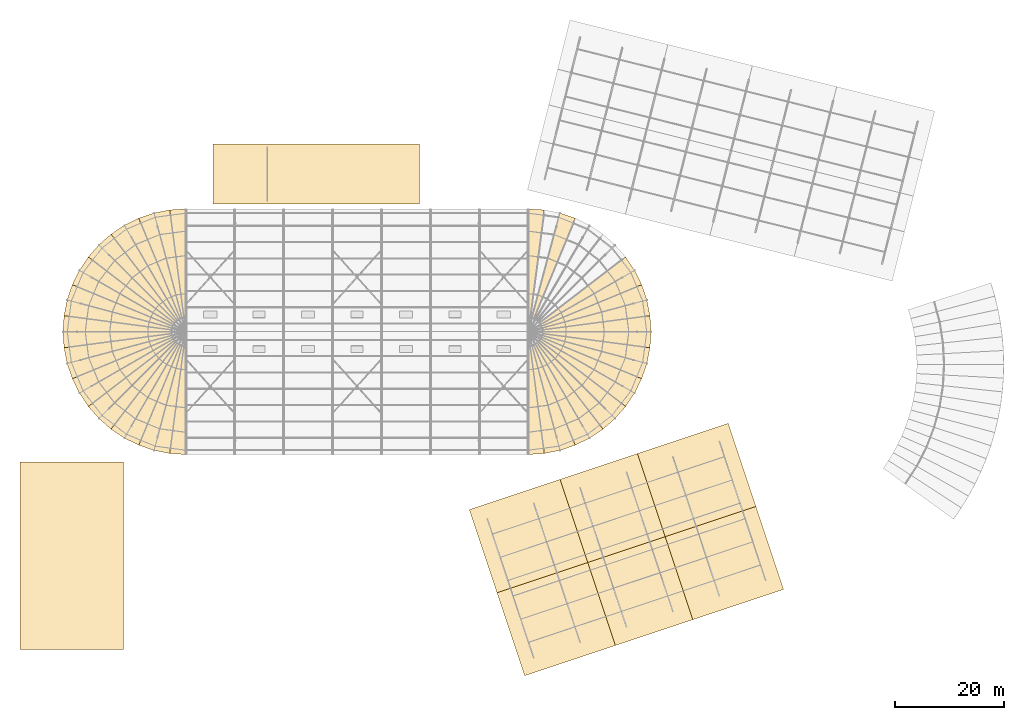
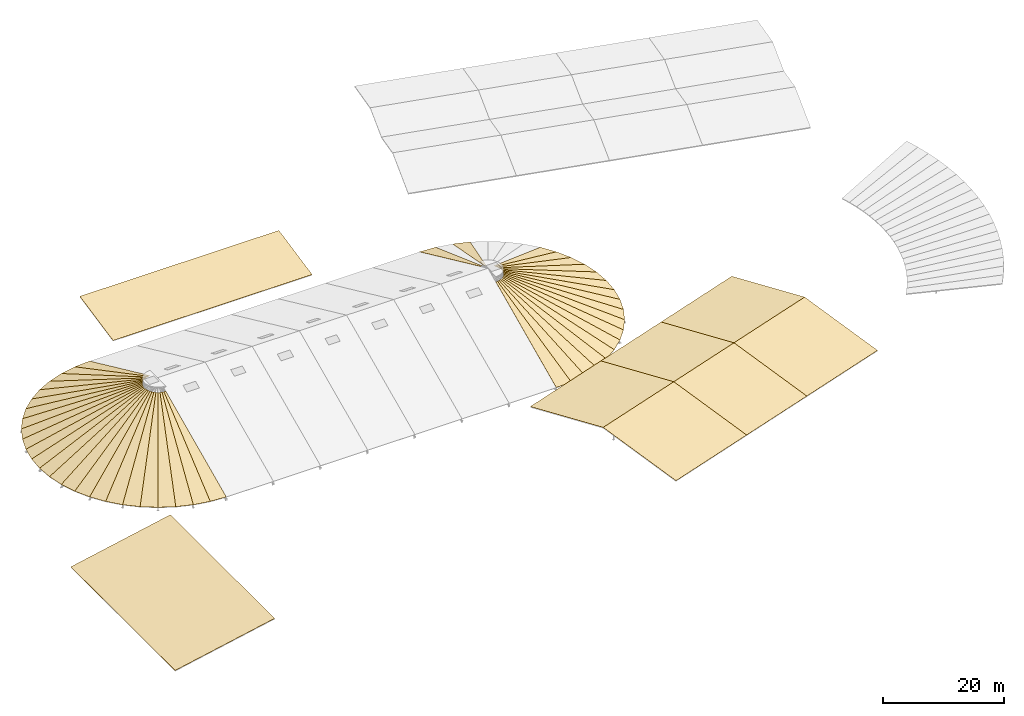
# One storey, part 106 of 107: 51 coverings.
"""IFC4 building model written with IfcOpenShell, lengths in metres."""

from ifc_helpers import new_model, si_unit, derived_unit, direction, frame, origin, place, context, subcontext, project, spatial, polyline, outline, extrude, material, layer, layer_set, type_object, element, save


model = new_model("IFC4")

# Units and contexts
model_context = context("Model", 3, precision=1e-05, world=origin(), true_north=direction((0.0, 1.0)))
body_context = subcontext(model_context, "Body", "Model", "MODEL_VIEW")
ifc_project = project(units=[si_unit("LENGTHUNIT", "METRE"), si_unit("AREAUNIT", "SQUARE_METRE"), si_unit("VOLUMEUNIT", "CUBIC_METRE"), si_unit("PLANEANGLEUNIT", "RADIAN"), si_unit("MASSUNIT", "GRAM", prefix="KILO"), si_unit("THERMODYNAMICTEMPERATUREUNIT", "KELVIN"), si_unit("TIMEUNIT", "SECOND"), derived_unit("THERMALTRANSMITTANCEUNIT", [(si_unit("MASSUNIT", "GRAM", prefix="KILO"), 1), (si_unit("THERMODYNAMICTEMPERATUREUNIT", "KELVIN"), -1), (si_unit("TIMEUNIT", "SECOND"), -3)])], contexts=[model_context])

# Site, building, storey
site_placement = place(None, origin())
site = spatial("IfcSite", under=ifc_project, at=site_placement, CompositionType="ELEMENT")
building_placement = place(site_placement, origin())
building = spatial("IfcBuilding", under=site, at=building_placement, Name="Cambertide Market Hall", CompositionType="ELEMENT")
storey_placement = place(building_placement, frame((0.0, 0.0, 18.300048828125)))
storey = spatial("IfcBuildingStorey", under=building, at=storey_placement, Name="RF", CompositionType="ELEMENT", Elevation=18.300048828125)

# Coverings
ifc_material = material(Name="PVDF-Coated Marine Aluminium Standing Seam", Category="aluminium")
ifc_layer = layer(ifc_material, 0.034912109375, Name="PVDF Marine Aluminium Standing-Seam Roofing 35")
ifc_layer_set = layer_set([ifc_layer], Name="PVDF-Coated Marine Aluminium Standing Seam")
covering_type = type_object("IfcCoveringType", Name="PVDF Marine Aluminium Standing-Seam Roofing 35", PredefinedType="ROOFING", material=ifc_layer_set)
covering_1_placement = place(storey_placement, frame((42.0, 94.60009765625, -10.1728515625), z_axis=(-0.027409275858, 0.417743409083, 0.908151515863), x_axis=(-0.997857962081, -0.065417787225, -2.5012015e-05)))
element("IfcCovering", 1, at=covering_1_placement, inside=storey, type_object=covering_type, Name="Standing-Seam Roof Covering RSLB-CONE-W-01", PredefinedType="ROOFING", context=body_context, shape_type="SweptSolid", body=[
    extrude(outline(polyline([(0.0, 0.0), (2.9562814070581482, 0.0), (1.648223536475506, 21.97581772918988), (1.3081256351772481, 21.975620784879933), (0.0, 0.0)])), origin(), (0.0, 0.0, -1.0), 0.034912109375),
])
covering_2_placement = place(storey_placement, frame((39.050048828125, 94.40673828125, -10.1728515625), z_axis=(-0.081673211624, 0.410598583265, 0.908151028147), x_axis=(-0.980775932351, -0.195137310723, 2.2004101e-05)))
element("IfcCovering", 2, at=covering_2_placement, inside=storey, type_object=covering_type, Name="Standing-Seam Roof Covering RSLB-CONE-W-02", PredefinedType="ROOFING", context=body_context, shape_type="SweptSolid", body=[
    extrude(outline(polyline([(0.0, 0.0), (2.956251083457717, 0.0), (1.6491861932539995, 21.975577026993157), (1.309190554875619, 21.975750279612583), (0.0, 0.0)])), origin(), (0.0, 0.0, -1.0), 0.034912109375),
])
covering_3_placement = place(storey_placement, frame((36.150634765625, 93.829833984375, -10.1728515625), z_axis=(-0.134570980314, 0.396426263437, 0.908150245782), x_axis=(-0.946933608238, -0.321429216987, -7.488302e-06)))
element("IfcCovering", 3, at=covering_3_placement, inside=storey, type_object=covering_type, Name="Standing-Seam Roof Covering RSLB-CONE-W-03", PredefinedType="ROOFING", context=body_context, shape_type="SweptSolid", body=[
    extrude(outline(polyline([(0.0, 0.0), (2.9561873204523446, -1.1102230246251565e-16), (1.6476907526934368, 21.9756040666105), (1.3076014659560387, 21.975545106032726), (0.0, 0.0)])), origin(), (0.0, 0.0, -1.0), 0.034912109375),
])
covering_4_placement = place(storey_placement, frame((33.351318359375, 92.879638671875, -10.1728515625), z_axis=(-0.185136315846, 0.375481625338, 0.90815092005), x_axis=(-0.896892956019, -0.442247696838, 9.278662e-06)))
element("IfcCovering", 4, at=covering_4_placement, inside=storey, type_object=covering_type, Name="Standing-Seam Roof Covering RSLB-CONE-W-04", PredefinedType="ROOFING", context=body_context, shape_type="SweptSolid", body=[
    extrude(outline(polyline([(0.0, 0.0), (2.9561752731755653, 0.0), (1.6473073584844196, 21.97561486482148), (1.3070874424016115, 21.97568792501984), (0.0, 0.0)])), origin(), (0.0, 0.0, -1.0), 0.034912109375),
])
covering_5_placement = place(storey_placement, frame((30.699951171875, 91.572265625, -10.1728515625), z_axis=(-0.23260796997, 0.348074789506, 0.908150578493), x_axis=(-0.831438994246, -0.555616053433, -3.739204e-06)))
element("IfcCovering", 5, at=covering_5_placement, inside=storey, type_object=covering_type, Name="Standing-Seam Roof Covering RSLB-CONE-W-05", PredefinedType="ROOFING", context=body_context, shape_type="SweptSolid", body=[
    extrude(outline(polyline([(0.0, 0.0), (2.9563263187428053, 0.0), (1.649207027041759, 21.97562720757946), (1.3091549809737562, 21.97559776528562), (0.0, 0.0)])), origin(), (0.0, 0.0, -1.0), 0.034912109375),
])
covering_6_placement = place(storey_placement, frame((28.241943359375, 89.9296875, -10.1728515625), z_axis=(-0.276026197981, 0.314754205314, 0.908151599826), x_axis=(-0.751874569863, -0.659306173802, -1.9477017e-05)))
element("IfcCovering", 6, at=covering_6_placement, inside=storey, type_object=covering_type, Name="Standing-Seam Roof Covering RSLB-CONE-W-06", PredefinedType="ROOFING", context=body_context, shape_type="SweptSolid", body=[
    extrude(outline(polyline([(0.0, 0.0), (2.9561297044671377, 2.220446049250313e-16), (1.6468173433613174, 21.975805417620908), (1.306701364755123, 21.975652061968933), (0.0, 0.0)])), origin(), (0.0, 0.0, -1.0), 0.034912109375),
])
covering_7_placement = place(storey_placement, frame((26.019287109375, 87.980712890625, -10.1728515625), z_axis=(-0.314754205314, 0.276026197981, 0.908151599826), x_axis=(-0.659306173802, -0.751874569863, 1.9477017e-05)))
element("IfcCovering", 7, at=covering_7_placement, inside=storey, type_object=covering_type, Name="Standing-Seam Roof Covering RSLB-CONE-W-07", PredefinedType="ROOFING", context=body_context, shape_type="SweptSolid", body=[
    extrude(outline(polyline([(0.0, 0.0), (2.9561297044671377, -2.220446049250313e-16), (1.6494283397120146, 21.975652061968933), (1.3093123611058186, 21.975805417620908), (0.0, 0.0)])), origin(), (0.0, 0.0, -1.0), 0.034912109375),
])
covering_8_placement = place(storey_placement, frame((24.0703125, 85.758056640625, -10.1728515625), z_axis=(-0.348074789506, 0.23260796997, 0.908150578493), x_axis=(-0.555616053433, -0.831438994246, 3.739204e-06)))
element("IfcCovering", 8, at=covering_8_placement, inside=storey, type_object=covering_type, Name="Standing-Seam Roof Covering RSLB-CONE-W-08", PredefinedType="ROOFING", context=body_context, shape_type="SweptSolid", body=[
    extrude(outline(polyline([(0.0, 0.0), (2.9563263187428053, 0.0), (1.6471713377690491, 21.97559776528562), (1.3071192917010481, 21.97562720757946), (0.0, 0.0)])), origin(), (0.0, 0.0, -1.0), 0.034912109375),
])
covering_9_placement = place(storey_placement, frame((22.427734375, 83.300048828125, -10.1728515625), z_axis=(-0.375481625338, 0.185136315846, 0.90815092005), x_axis=(-0.442247696838, -0.896892956019, -9.278662e-06)))
element("IfcCovering", 9, at=covering_9_placement, inside=storey, type_object=covering_type, Name="Standing-Seam Roof Covering RSLB-CONE-W-09", PredefinedType="ROOFING", context=body_context, shape_type="SweptSolid", body=[
    extrude(outline(polyline([(0.0, 0.0), (2.9561752731755653, 0.0), (1.6490878307739543, 21.97568792501984), (1.3088679146911453, 21.97561486482148), (0.0, 0.0)])), origin(), (0.0, 0.0, -1.0), 0.034912109375),
])
covering_10_placement = place(storey_placement, frame((21.120361328125, 80.648681640625, -10.1728515625), z_axis=(-0.396426263437, 0.134570980314, 0.908150245782), x_axis=(-0.321429216987, -0.946933608238, 7.488302e-06)))
element("IfcCovering", 10, at=covering_10_placement, inside=storey, type_object=covering_type, Name="Standing-Seam Roof Covering RSLB-CONE-W-10", PredefinedType="ROOFING", context=body_context, shape_type="SweptSolid", body=[
    extrude(outline(polyline([(0.0, 0.0), (2.9561873204523446, 1.1102230246251565e-16), (1.6485858544963068, 21.975545106032726), (1.3084965677589078, 21.9756040666105), (0.0, 0.0)])), origin(), (0.0, 0.0, -1.0), 0.034912109375),
])
covering_11_placement = place(storey_placement, frame((20.170166015625, 77.849365234375, -10.1728515625), z_axis=(-0.410598583265, 0.081673211624, 0.908151028147), x_axis=(-0.195137310723, -0.980775932351, -2.2004101e-05)))
element("IfcCovering", 11, at=covering_11_placement, inside=storey, type_object=covering_type, Name="Standing-Seam Roof Covering RSLB-CONE-W-11", PredefinedType="ROOFING", context=body_context, shape_type="SweptSolid", body=[
    extrude(outline(polyline([(0.0, 0.0), (2.956251083457717, 0.0), (1.6470605285820976, 21.975750279612583), (1.3070648902037176, 21.975577026993157), (0.0, 0.0)])), origin(), (0.0, 0.0, -1.0), 0.034912109375),
])
covering_12_placement = place(storey_placement, frame((19.59326171875, 74.949951171875, -10.1728515625), z_axis=(-0.417743409083, 0.027409275858, 0.908151515863), x_axis=(-0.065417787225, -0.997857962081, 2.5012015e-05)))
element("IfcCovering", 12, at=covering_12_placement, inside=storey, type_object=covering_type, Name="Standing-Seam Roof Covering RSLB-CONE-W-12", PredefinedType="ROOFING", context=body_context, shape_type="SweptSolid", body=[
    extrude(outline(polyline([(0.0, 0.0), (2.9562814070581482, 0.0), (1.6481557718809003, 21.975620784879933), (1.3080578705826424, 21.97581772918988), (0.0, 0.0)])), origin(), (0.0, 0.0, -1.0), 0.034912109375),
])
covering_13_placement = place(storey_placement, frame((19.39990234375, 72.0, -10.1728515625), z_axis=(-0.417743409083, -0.027409275858, 0.908151515863), x_axis=(0.065417787225, -0.997857962081, -2.5012015e-05)))
element("IfcCovering", 13, at=covering_13_placement, inside=storey, type_object=covering_type, Name="Standing-Seam Roof Covering RSLB-CONE-W-13", PredefinedType="ROOFING", context=body_context, shape_type="SweptSolid", body=[
    extrude(outline(polyline([(0.0, 0.0), (2.9562814070581482, 0.0), (1.648223536475506, 21.97581772918988), (1.3081256351772481, 21.975620784879933), (0.0, 0.0)])), origin(), (0.0, 0.0, -1.0), 0.034912109375),
])
covering_14_placement = place(storey_placement, frame((19.59326171875, 69.050048828125, -10.1728515625), z_axis=(-0.410598583265, -0.081673211624, 0.908151028147), x_axis=(0.195137310723, -0.980775932351, 2.2004101e-05)))
element("IfcCovering", 14, at=covering_14_placement, inside=storey, type_object=covering_type, Name="Standing-Seam Roof Covering RSLB-CONE-W-14", PredefinedType="ROOFING", context=body_context, shape_type="SweptSolid", body=[
    extrude(outline(polyline([(0.0, 0.0), (2.956251083457717, 0.0), (1.6491861932539995, 21.975577026993157), (1.309190554875619, 21.975750279612583), (0.0, 0.0)])), origin(), (0.0, 0.0, -1.0), 0.034912109375),
])
covering_15_placement = place(storey_placement, frame((20.170166015625, 66.150634765625, -10.1728515625), z_axis=(-0.396426263437, -0.134570980314, 0.908150245782), x_axis=(0.321429216987, -0.946933608238, -7.488302e-06)))
element("IfcCovering", 15, at=covering_15_placement, inside=storey, type_object=covering_type, Name="Standing-Seam Roof Covering RSLB-CONE-W-15", PredefinedType="ROOFING", context=body_context, shape_type="SweptSolid", body=[
    extrude(outline(polyline([(0.0, 0.0), (2.9561873204523446, -1.1102230246251565e-16), (1.6476907526934368, 21.9756040666105), (1.3076014659560387, 21.975545106032726), (0.0, 0.0)])), origin(), (0.0, 0.0, -1.0), 0.034912109375),
])
covering_16_placement = place(storey_placement, frame((21.120361328125, 63.351318359375, -10.1728515625), z_axis=(-0.375481625338, -0.185136315846, 0.90815092005), x_axis=(0.442247696838, -0.896892956019, 9.278662e-06)))
element("IfcCovering", 16, at=covering_16_placement, inside=storey, type_object=covering_type, Name="Standing-Seam Roof Covering RSLB-CONE-W-16", PredefinedType="ROOFING", context=body_context, shape_type="SweptSolid", body=[
    extrude(outline(polyline([(0.0, 0.0), (2.9561752731755653, 0.0), (1.6473073584844196, 21.97561486482148), (1.3070874424016115, 21.97568792501984), (0.0, 0.0)])), origin(), (0.0, 0.0, -1.0), 0.034912109375),
])
covering_17_placement = place(storey_placement, frame((22.427734375, 60.699951171875, -10.1728515625), z_axis=(-0.348074789506, -0.23260796997, 0.908150578493), x_axis=(0.555616053433, -0.831438994246, -3.739204e-06)))
element("IfcCovering", 17, at=covering_17_placement, inside=storey, type_object=covering_type, Name="Standing-Seam Roof Covering RSLB-CONE-W-17", PredefinedType="ROOFING", context=body_context, shape_type="SweptSolid", body=[
    extrude(outline(polyline([(0.0, 0.0), (2.9563263187428053, 0.0), (1.649207027041759, 21.97562720757946), (1.3091549809737562, 21.97559776528562), (0.0, 0.0)])), origin(), (0.0, 0.0, -1.0), 0.034912109375),
])
covering_18_placement = place(storey_placement, frame((24.0703125, 58.241943359375, -10.1728515625), z_axis=(-0.314754205314, -0.276026197981, 0.908151599826), x_axis=(0.659306173802, -0.751874569863, -1.9477017e-05)))
element("IfcCovering", 18, at=covering_18_placement, inside=storey, type_object=covering_type, Name="Standing-Seam Roof Covering RSLB-CONE-W-18", PredefinedType="ROOFING", context=body_context, shape_type="SweptSolid", body=[
    extrude(outline(polyline([(0.0, 0.0), (2.9561297044671377, 2.220446049250313e-16), (1.6468173433613174, 21.975805417620908), (1.306701364755123, 21.975652061968933), (0.0, 0.0)])), origin(), (0.0, 0.0, -1.0), 0.034912109375),
])
covering_19_placement = place(storey_placement, frame((26.019287109375, 56.019287109375, -10.1728515625), z_axis=(-0.276026197981, -0.314754205314, 0.908151599826), x_axis=(0.751874569863, -0.659306173802, 1.9477017e-05)))
element("IfcCovering", 19, at=covering_19_placement, inside=storey, type_object=covering_type, Name="Standing-Seam Roof Covering RSLB-CONE-W-19", PredefinedType="ROOFING", context=body_context, shape_type="SweptSolid", body=[
    extrude(outline(polyline([(0.0, 0.0), (2.9561297044671377, -2.220446049250313e-16), (1.6494283397120146, 21.975652061968933), (1.3093123611058186, 21.975805417620908), (0.0, 0.0)])), origin(), (0.0, 0.0, -1.0), 0.034912109375),
])
covering_20_placement = place(storey_placement, frame((28.241943359375, 54.0703125, -10.1728515625), z_axis=(-0.23260796997, -0.348074789506, 0.908150578493), x_axis=(0.831438994246, -0.555616053433, 3.739204e-06)))
element("IfcCovering", 20, at=covering_20_placement, inside=storey, type_object=covering_type, Name="Standing-Seam Roof Covering RSLB-CONE-W-20", PredefinedType="ROOFING", context=body_context, shape_type="SweptSolid", body=[
    extrude(outline(polyline([(0.0, 0.0), (2.9563263187428053, 0.0), (1.6471713377690491, 21.97559776528562), (1.3071192917010481, 21.97562720757946), (0.0, 0.0)])), origin(), (0.0, 0.0, -1.0), 0.034912109375),
])
covering_21_placement = place(storey_placement, frame((30.699951171875, 52.427734375, -10.1728515625), z_axis=(-0.185136315846, -0.375481625338, 0.90815092005), x_axis=(0.896892956019, -0.442247696838, -9.278662e-06)))
element("IfcCovering", 21, at=covering_21_placement, inside=storey, type_object=covering_type, Name="Standing-Seam Roof Covering RSLB-CONE-W-21", PredefinedType="ROOFING", context=body_context, shape_type="SweptSolid", body=[
    extrude(outline(polyline([(0.0, 0.0), (2.9561752731755653, 0.0), (1.6490878307739543, 21.97568792501984), (1.3088679146911453, 21.97561486482148), (0.0, 0.0)])), origin(), (0.0, 0.0, -1.0), 0.034912109375),
])
covering_22_placement = place(storey_placement, frame((33.351318359375, 51.120361328125, -10.1728515625), z_axis=(-0.134570980314, -0.396426263437, 0.908150245782), x_axis=(0.946933608238, -0.321429216987, 7.488302e-06)))
element("IfcCovering", 22, at=covering_22_placement, inside=storey, type_object=covering_type, Name="Standing-Seam Roof Covering RSLB-CONE-W-22", PredefinedType="ROOFING", context=body_context, shape_type="SweptSolid", body=[
    extrude(outline(polyline([(0.0, 0.0), (2.9561873204523446, 1.1102230246251565e-16), (1.6485858544963068, 21.975545106032726), (1.3084965677589078, 21.9756040666105), (0.0, 0.0)])), origin(), (0.0, 0.0, -1.0), 0.034912109375),
])
covering_23_placement = place(storey_placement, frame((36.150634765625, 50.170166015625, -10.1728515625), z_axis=(-0.081673211624, -0.410598583265, 0.908151028147), x_axis=(0.980775932351, -0.195137310723, -2.2004101e-05)))
element("IfcCovering", 23, at=covering_23_placement, inside=storey, type_object=covering_type, Name="Standing-Seam Roof Covering RSLB-CONE-W-23", PredefinedType="ROOFING", context=body_context, shape_type="SweptSolid", body=[
    extrude(outline(polyline([(0.0, 0.0), (2.956251083457717, 0.0), (1.6470605285820976, 21.975750279612583), (1.3070648902037176, 21.975577026993157), (0.0, 0.0)])), origin(), (0.0, 0.0, -1.0), 0.034912109375),
])
covering_24_placement = place(storey_placement, frame((39.050048828125, 49.59326171875, -10.1728515625), z_axis=(-0.027409275858, -0.417743409083, 0.908151515863), x_axis=(0.997857962081, -0.065417787225, 2.5012015e-05)))
element("IfcCovering", 24, at=covering_24_placement, inside=storey, type_object=covering_type, Name="Standing-Seam Roof Covering RSLB-CONE-W-24", PredefinedType="ROOFING", context=body_context, shape_type="SweptSolid", body=[
    extrude(outline(polyline([(0.0, 0.0), (2.9562814070581482, 0.0), (1.6481557718809003, 21.975620784879933), (1.3080578705826424, 21.97581772918988), (0.0, 0.0)])), origin(), (0.0, 0.0, -1.0), 0.034912109375),
])
covering_25_placement = place(storey_placement, frame((105.0, 49.39990234375, -10.1728515625), z_axis=(0.027409275858, -0.417743409083, 0.908151515863), x_axis=(0.997857962081, 0.065417787225, -2.5012015e-05)))
element("IfcCovering", 25, at=covering_25_placement, inside=storey, type_object=covering_type, Name="Standing-Seam Roof Covering RSLB-CONE-E-01", PredefinedType="ROOFING", context=body_context, shape_type="SweptSolid", body=[
    extrude(outline(polyline([(0.0, 0.0), (2.9562814070581482, 0.0), (1.648223536475506, 21.97581772918988), (1.3081256351772481, 21.975620784879933), (0.0, 0.0)])), origin(), (0.0, 0.0, -1.0), 0.034912109375),
])
covering_26_placement = place(storey_placement, frame((107.949951171875, 49.59326171875, -10.1728515625), z_axis=(0.081673211624, -0.410598583265, 0.908151028147), x_axis=(0.980775932351, 0.195137310723, 2.2004101e-05)))
element("IfcCovering", 26, at=covering_26_placement, inside=storey, type_object=covering_type, Name="Standing-Seam Roof Covering RSLB-CONE-E-02", PredefinedType="ROOFING", context=body_context, shape_type="SweptSolid", body=[
    extrude(outline(polyline([(0.0, 0.0), (2.956251083457717, 0.0), (1.6491861932539995, 21.975577026993157), (1.309190554875619, 21.975750279612583), (0.0, 0.0)])), origin(), (0.0, 0.0, -1.0), 0.034912109375),
])
covering_27_placement = place(storey_placement, frame((110.849365234375, 50.170166015625, -10.1728515625), z_axis=(0.134570980314, -0.396426263437, 0.908150245782), x_axis=(0.946933608238, 0.321429216987, -7.488302e-06)))
element("IfcCovering", 27, at=covering_27_placement, inside=storey, type_object=covering_type, Name="Standing-Seam Roof Covering RSLB-CONE-E-03", PredefinedType="ROOFING", context=body_context, shape_type="SweptSolid", body=[
    extrude(outline(polyline([(0.0, 0.0), (2.9561873204523446, -1.1102230246251565e-16), (1.6476907526934368, 21.9756040666105), (1.3076014659560387, 21.975545106032726), (0.0, 0.0)])), origin(), (0.0, 0.0, -1.0), 0.034912109375),
])
covering_28_placement = place(storey_placement, frame((113.648681640625, 51.120361328125, -10.1728515625), z_axis=(0.185136315846, -0.375481625338, 0.90815092005), x_axis=(0.896892956019, 0.442247696838, 9.278662e-06)))
element("IfcCovering", 28, at=covering_28_placement, inside=storey, type_object=covering_type, Name="Standing-Seam Roof Covering RSLB-CONE-E-04", PredefinedType="ROOFING", context=body_context, shape_type="SweptSolid", body=[
    extrude(outline(polyline([(0.0, 0.0), (2.9561752731755653, 0.0), (1.6473073584844196, 21.97561486482148), (1.3070874424016115, 21.97568792501984), (0.0, 0.0)])), origin(), (0.0, 0.0, -1.0), 0.034912109375),
])
covering_29_placement = place(storey_placement, frame((116.300048828125, 52.427734375, -10.1728515625), z_axis=(0.23260796997, -0.348074789506, 0.908150578493), x_axis=(0.831438994246, 0.555616053433, -3.739204e-06)))
element("IfcCovering", 29, at=covering_29_placement, inside=storey, type_object=covering_type, Name="Standing-Seam Roof Covering RSLB-CONE-E-05", PredefinedType="ROOFING", context=body_context, shape_type="SweptSolid", body=[
    extrude(outline(polyline([(0.0, 0.0), (2.9563263187428053, 0.0), (1.649207027041759, 21.97562720757946), (1.3091549809737562, 21.97559776528562), (0.0, 0.0)])), origin(), (0.0, 0.0, -1.0), 0.034912109375),
])
covering_30_placement = place(storey_placement, frame((118.758056640625, 54.0703125, -10.1728515625), z_axis=(0.276026197981, -0.314754205314, 0.908151599826), x_axis=(0.751874569863, 0.659306173802, -1.9477017e-05)))
element("IfcCovering", 30, at=covering_30_placement, inside=storey, type_object=covering_type, Name="Standing-Seam Roof Covering RSLB-CONE-E-06", PredefinedType="ROOFING", context=body_context, shape_type="SweptSolid", body=[
    extrude(outline(polyline([(0.0, 0.0), (2.9561297044671377, 2.220446049250313e-16), (1.6468173433613174, 21.975805417620908), (1.306701364755123, 21.975652061968933), (0.0, 0.0)])), origin(), (0.0, 0.0, -1.0), 0.034912109375),
])
covering_31_placement = place(storey_placement, frame((120.980712890625, 56.019287109375, -10.1728515625), z_axis=(0.314754205314, -0.276026197981, 0.908151599826), x_axis=(0.659306173802, 0.751874569863, 1.9477017e-05)))
element("IfcCovering", 31, at=covering_31_placement, inside=storey, type_object=covering_type, Name="Standing-Seam Roof Covering RSLB-CONE-E-07", PredefinedType="ROOFING", context=body_context, shape_type="SweptSolid", body=[
    extrude(outline(polyline([(0.0, 0.0), (2.9561297044671377, -2.220446049250313e-16), (1.6494283397120146, 21.975652061968933), (1.3093123611058186, 21.975805417620908), (0.0, 0.0)])), origin(), (0.0, 0.0, -1.0), 0.034912109375),
])
covering_32_placement = place(storey_placement, frame((122.9296875, 58.241943359375, -10.1728515625), z_axis=(0.348074789506, -0.23260796997, 0.908150578493), x_axis=(0.555616053433, 0.831438994246, 3.739204e-06)))
element("IfcCovering", 32, at=covering_32_placement, inside=storey, type_object=covering_type, Name="Standing-Seam Roof Covering RSLB-CONE-E-08", PredefinedType="ROOFING", context=body_context, shape_type="SweptSolid", body=[
    extrude(outline(polyline([(0.0, 0.0), (2.9563263187428053, 0.0), (1.6471713377690491, 21.97559776528562), (1.3071192917010481, 21.97562720757946), (0.0, 0.0)])), origin(), (0.0, 0.0, -1.0), 0.034912109375),
])
covering_33_placement = place(storey_placement, frame((124.572265625, 60.699951171875, -10.1728515625), z_axis=(0.375481625338, -0.185136315846, 0.90815092005), x_axis=(0.442247696838, 0.896892956019, -9.278662e-06)))
element("IfcCovering", 33, at=covering_33_placement, inside=storey, type_object=covering_type, Name="Standing-Seam Roof Covering RSLB-CONE-E-09", PredefinedType="ROOFING", context=body_context, shape_type="SweptSolid", body=[
    extrude(outline(polyline([(0.0, 0.0), (2.9561752731755653, 0.0), (1.6490878307739543, 21.97568792501984), (1.3088679146911453, 21.97561486482148), (0.0, 0.0)])), origin(), (0.0, 0.0, -1.0), 0.034912109375),
])
covering_34_placement = place(storey_placement, frame((125.879638671875, 63.351318359375, -10.1728515625), z_axis=(0.396426263437, -0.134570980314, 0.908150245782), x_axis=(0.321429216987, 0.946933608238, 7.488302e-06)))
element("IfcCovering", 34, at=covering_34_placement, inside=storey, type_object=covering_type, Name="Standing-Seam Roof Covering RSLB-CONE-E-10", PredefinedType="ROOFING", context=body_context, shape_type="SweptSolid", body=[
    extrude(outline(polyline([(0.0, 0.0), (2.9561873204523446, 1.1102230246251565e-16), (1.6485858544963068, 21.975545106032726), (1.3084965677589078, 21.9756040666105), (0.0, 0.0)])), origin(), (0.0, 0.0, -1.0), 0.034912109375),
])
covering_35_placement = place(storey_placement, frame((126.829833984375, 66.150634765625, -10.1728515625), z_axis=(0.410598583265, -0.081673211624, 0.908151028147), x_axis=(0.195137310723, 0.980775932351, -2.2004101e-05)))
element("IfcCovering", 35, at=covering_35_placement, inside=storey, type_object=covering_type, Name="Standing-Seam Roof Covering RSLB-CONE-E-11", PredefinedType="ROOFING", context=body_context, shape_type="SweptSolid", body=[
    extrude(outline(polyline([(0.0, 0.0), (2.956251083457717, 0.0), (1.6470605285820976, 21.975750279612583), (1.3070648902037176, 21.975577026993157), (0.0, 0.0)])), origin(), (0.0, 0.0, -1.0), 0.034912109375),
])
covering_36_placement = place(storey_placement, frame((127.40673828125, 69.050048828125, -10.1728515625), z_axis=(0.417743409083, -0.027409275858, 0.908151515863), x_axis=(0.065417787225, 0.997857962081, 2.5012015e-05)))
element("IfcCovering", 36, at=covering_36_placement, inside=storey, type_object=covering_type, Name="Standing-Seam Roof Covering RSLB-CONE-E-12", PredefinedType="ROOFING", context=body_context, shape_type="SweptSolid", body=[
    extrude(outline(polyline([(0.0, 0.0), (2.9562814070581482, 0.0), (1.6481557718809003, 21.975620784879933), (1.3080578705826424, 21.97581772918988), (0.0, 0.0)])), origin(), (0.0, 0.0, -1.0), 0.034912109375),
])
covering_37_placement = place(storey_placement, frame((127.60009765625, 72.0, -10.1728515625), z_axis=(0.417743409083, 0.027409275858, 0.908151515863), x_axis=(-0.065417787225, 0.997857962081, -2.5012015e-05)))
element("IfcCovering", 37, at=covering_37_placement, inside=storey, type_object=covering_type, Name="Standing-Seam Roof Covering RSLB-CONE-E-13", PredefinedType="ROOFING", context=body_context, shape_type="SweptSolid", body=[
    extrude(outline(polyline([(0.0, 0.0), (2.9562814070581482, 0.0), (1.648223536475506, 21.97581772918988), (1.3081256351772481, 21.975620784879933), (0.0, 0.0)])), origin(), (0.0, 0.0, -1.0), 0.034912109375),
])
covering_38_placement = place(storey_placement, frame((127.40673828125, 74.949951171875, -10.1728515625), z_axis=(0.410598583265, 0.081673211624, 0.908151028147), x_axis=(-0.195137310723, 0.980775932351, 2.2004101e-05)))
element("IfcCovering", 38, at=covering_38_placement, inside=storey, type_object=covering_type, Name="Standing-Seam Roof Covering RSLB-CONE-E-14", PredefinedType="ROOFING", context=body_context, shape_type="SweptSolid", body=[
    extrude(outline(polyline([(0.0, 0.0), (2.956251083457717, 0.0), (1.6491861932539995, 21.975577026993157), (1.309190554875619, 21.975750279612583), (0.0, 0.0)])), origin(), (0.0, 0.0, -1.0), 0.034912109375),
])
covering_39_placement = place(storey_placement, frame((126.829833984375, 77.849365234375, -10.1728515625), z_axis=(0.396426263437, 0.134570980314, 0.908150245782), x_axis=(-0.321429216987, 0.946933608238, -7.488302e-06)))
element("IfcCovering", 39, at=covering_39_placement, inside=storey, type_object=covering_type, Name="Standing-Seam Roof Covering RSLB-CONE-E-15", PredefinedType="ROOFING", context=body_context, shape_type="SweptSolid", body=[
    extrude(outline(polyline([(0.0, 0.0), (2.9561873204523446, -1.1102230246251565e-16), (1.6476907526934368, 21.9756040666105), (1.3076014659560387, 21.975545106032726), (0.0, 0.0)])), origin(), (0.0, 0.0, -1.0), 0.034912109375),
])
covering_40_placement = place(storey_placement, frame((125.879638671875, 80.648681640625, -10.1728515625), z_axis=(0.375481625338, 0.185136315846, 0.90815092005), x_axis=(-0.442247696838, 0.896892956019, 9.278662e-06)))
element("IfcCovering", 40, at=covering_40_placement, inside=storey, type_object=covering_type, Name="Standing-Seam Roof Covering RSLB-CONE-E-16", PredefinedType="ROOFING", context=body_context, shape_type="SweptSolid", body=[
    extrude(outline(polyline([(0.0, 0.0), (2.9561752731755653, 0.0), (1.6473073584844196, 21.97561486482148), (1.3070874424016115, 21.97568792501984), (0.0, 0.0)])), origin(), (0.0, 0.0, -1.0), 0.034912109375),
])
covering_41_placement = place(storey_placement, frame((124.572265625, 83.300048828125, -10.1728515625), z_axis=(0.348074789506, 0.23260796997, 0.908150578493), x_axis=(-0.555616053433, 0.831438994246, -3.739204e-06)))
element("IfcCovering", 41, at=covering_41_placement, inside=storey, type_object=covering_type, Name="Standing-Seam Roof Covering RSLB-CONE-E-17", PredefinedType="ROOFING", context=body_context, shape_type="SweptSolid", body=[
    extrude(outline(polyline([(0.0, 0.0), (2.9563263187428053, 0.0), (1.649207027041759, 21.97562720757946), (1.3091549809737562, 21.97559776528562), (0.0, 0.0)])), origin(), (0.0, 0.0, -1.0), 0.034912109375),
])
covering_42_placement = place(storey_placement, frame((113.648681640625, 92.879638671875, -10.1728515625), z_axis=(0.134570980314, 0.396426263437, 0.908150245782), x_axis=(-0.946933608238, 0.321429216987, 7.488302e-06)))
element("IfcCovering", 42, at=covering_42_placement, inside=storey, type_object=covering_type, Name="Standing-Seam Roof Covering RSLB-CONE-E-22", PredefinedType="ROOFING", context=body_context, shape_type="SweptSolid", body=[
    extrude(outline(polyline([(0.0, 0.0), (2.9561873204523446, 1.1102230246251565e-16), (1.6485858544963068, 21.975545106032726), (1.3084965677589078, 21.9756040666105), (0.0, 0.0)])), origin(), (0.0, 0.0, -1.0), 0.034912109375),
])
covering_43_placement = place(storey_placement, frame((107.949951171875, 94.40673828125, -10.1728515625), z_axis=(0.027409275858, 0.417743409083, 0.908151515863), x_axis=(-0.997857962081, 0.065417787225, 2.5012015e-05)))
element("IfcCovering", 43, at=covering_43_placement, inside=storey, type_object=covering_type, Name="Standing-Seam Roof Covering RSLB-CONE-E-24", PredefinedType="ROOFING", context=body_context, shape_type="SweptSolid", body=[
    extrude(outline(polyline([(0.0, 0.0), (2.9562814070581482, 0.0), (1.6481557718809003, 21.975620784879933), (1.3080578705826424, 21.97581772918988), (0.0, 0.0)])), origin(), (0.0, 0.0, -1.0), 0.034912109375),
])
covering_44_placement = place(storey_placement, frame((104.355712890625, 8.711181640625, -4.06396484375), z_axis=(0.063041665555, -0.189126379369, 0.979927018217), x_axis=(0.948681993572, 0.316231679422, 1.285416e-06)))
element("IfcCovering", 44, at=covering_44_placement, inside=storey, type_object=covering_type, Name="Standing-Seam Roof Covering RSLB-V3-S-1", PredefinedType="ROOFING", context=body_context, shape_type="SweptSolid", body=[
    extrude(outline(polyline([(0.0, 0.0), (17.599974398484388, 8.881784197001252e-16), (17.599967818287784, 16.429697434880516), (7.062480325341655e-05, 16.429924397535828), (0.0, 0.0)])), origin(), (0.0, 0.0, -1.0), 0.034912109375),
])
covering_45_placement = place(storey_placement, frame((99.264404296875, 23.985107421875, -0.78857421875), z_axis=(-0.063041665555, 0.189126379369, 0.979927018217), x_axis=(0.948685989661, 0.316219691068, 1.285422e-06)))
element("IfcCovering", 45, at=covering_45_placement, inside=storey, type_object=covering_type, Name="Standing-Seam Roof Covering RSLB-V3-N-1", PredefinedType="ROOFING", context=body_context, shape_type="SweptSolid", body=[
    extrude(outline(polyline([(0.0, 0.0), (17.59989719494795, 0.0), (17.599755944691555, 16.429924397080445), (-0.00021845232940847188, 16.429697433429542), (0.0, 0.0)])), origin(), (0.0, 0.0, -1.0), 0.034912109375),
])
covering_46_placement = place(storey_placement, frame((121.052490234375, 14.27685546875, -4.06396484375), z_axis=(0.063042515804, -0.189127547411, 0.979926738084), x_axis=(0.948683298051, 0.316227766017, 0.0)))
element("IfcCovering", 46, at=covering_46_placement, inside=storey, type_object=covering_type, Name="Standing-Seam Roof Covering RSLB-V3-S-2", PredefinedType="ROOFING", context=body_context, shape_type="SweptSolid", body=[
    extrude(outline(polyline([(0.0, 0.0), (14.999973793801622, -8.881784197001252e-16), (14.999896589757187, 16.42969743471666), (-7.720404443742884e-05, 16.429697434716665), (0.0, 0.0)])), origin(), (0.0, 0.0, -1.0), 0.034912109375),
])
covering_47_placement = place(storey_placement, frame((115.961181640625, 29.550537109375, -0.78857421875), z_axis=(-0.063041644934, 0.189124934803, 0.979927298344), x_axis=(0.948683298051, 0.316227766017, 0.0)))
element("IfcCovering", 47, at=covering_47_placement, inside=storey, type_object=covering_type, Name="Standing-Seam Roof Covering RSLB-V3-N-2", PredefinedType="ROOFING", context=body_context, shape_type="SweptSolid", body=[
    extrude(outline(polyline([(0.0, 0.0), (14.999973793801622, -8.881784197001252e-16), (14.999973793801624, 16.429924397703843), (0.0, 16.429924397703843), (0.0, 0.0)])), origin(), (0.0, 0.0, -1.0), 0.034912109375),
])
covering_48_placement = place(storey_placement, frame((135.28271484375, 19.020263671875, -4.06396484375), z_axis=(0.063043345429, -0.189127270865, 0.979926738084), x_axis=(0.948681910877, 0.316231927508, 0.0)))
element("IfcCovering", 48, at=covering_48_placement, inside=storey, type_object=covering_type, Name="Standing-Seam Roof Covering RSLB-V3-S-3", PredefinedType="ROOFING", context=body_context, shape_type="SweptSolid", body=[
    extrude(outline(polyline([(0.0, 0.0), (17.59997439849953, 0.0), (17.599967818272642, 16.429697434896738), (-6.5802268896187454e-06, 16.429697434896738), (0.0, 0.0)])), origin(), (0.0, 0.0, -1.0), 0.034912109375),
])
covering_49_placement = place(storey_placement, frame((130.19140625, 34.2939453125, -0.78857421875), z_axis=(-0.06304247455, 0.189124658264, 0.979927298344), x_axis=(0.948681910877, 0.316231927508, 0.0)))
element("IfcCovering", 49, at=covering_49_placement, inside=storey, type_object=covering_type, Name="Standing-Seam Roof Covering RSLB-V3-N-3", PredefinedType="ROOFING", context=body_context, shape_type="SweptSolid", body=[
    extrude(outline(polyline([(0.0, 0.0), (17.59997439849953, -8.881784197001252e-16), (17.600045023333067, 16.42992439755205), (7.062483353690301e-05, 16.42992439755205), (0.0, 0.0)])), origin(), (0.0, 0.0, -1.0), 0.034912109375),
])
covering_50_placement = place(storey_placement, frame((47.0, 95.5, -8.31396484375), z_axis=(0.0, -0.199352337687, 0.979927877682), x_axis=(1.0, 0.0, 0.0)))
element("IfcCovering", 50, at=covering_50_placement, inside=storey, type_object=covering_type, Name="Standing-Seam Roof Covering RSLB-V2PAV", PredefinedType="ROOFING", context=body_context, shape_type="SweptSolid", body=[
    extrude(outline(polyline([(0.0, 0.0), (38.0, 0.0), (38.0, 11.225315914083977), (0.0, 11.225315914083977), (0.0, 0.0)])), origin(), (0.0, 0.0, -1.0), 0.034912109375),
])
covering_51_placement = place(storey_placement, frame((11.5, 13.5, -12.76416015625), z_axis=(-0.199374321506, 0.0, 0.979923405131), x_axis=(0.979923405131, 0.0, 0.199374321506)))
element("IfcCovering", 51, at=covering_51_placement, inside=storey, type_object=covering_type, Name="Standing-Seam Roof Covering RSLB-V2SW", PredefinedType="ROOFING", context=body_context, shape_type="SweptSolid", body=[
    extrude(outline(polyline([(0.0, 0.0), (19.38927052921395, 0.0), (19.38927052921395, 34.5), (0.0, 34.5), (0.0, 0.0)])), origin(), (0.0, 0.0, -1.0), 0.034912109375),
])

save(model, "model.ifc")
